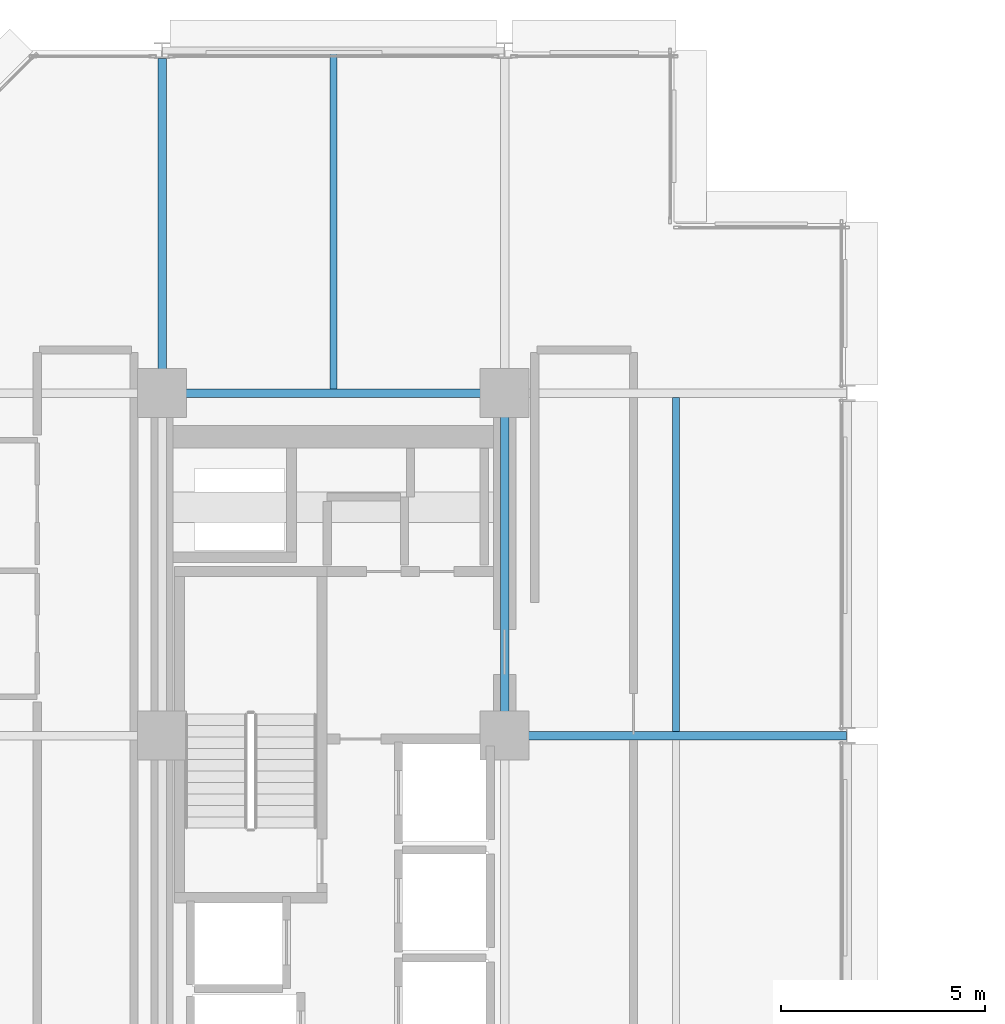
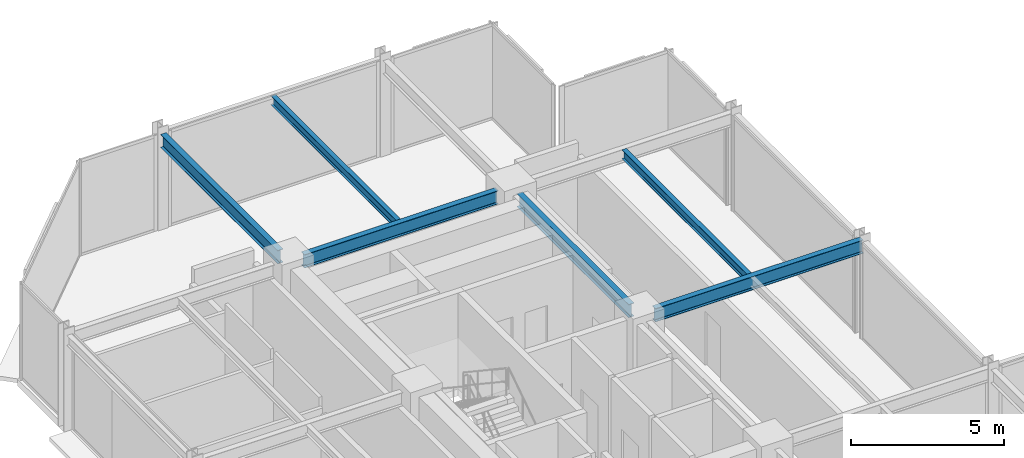
# One storey, part 26 of 39: 6 beams.
"""IFC4 building model written with IfcOpenShell, lengths in metres."""

from ifc_helpers import new_model, si_unit, direction, frame, origin, origin_2d, place, context, subcontext, project, spatial, i_section, extrude, material, material_profile, profile_set, type_object, element, save


model = new_model("IFC4")

# Units and contexts
model_context = context("Model", 3, precision=1e-05, world=origin(), true_north=direction((0.0, 1.0)))
body_context = subcontext(model_context, "Body", "Model", "MODEL_VIEW")
ifc_project = project(units=[si_unit("LENGTHUNIT", "METRE"), si_unit("AREAUNIT", "SQUARE_METRE"), si_unit("VOLUMEUNIT", "CUBIC_METRE"), si_unit("PLANEANGLEUNIT", "RADIAN"), si_unit("MASSUNIT", "GRAM", prefix="KILO")], contexts=[model_context])

# Site, building, storey
site_placement = place(None, origin())
site = spatial("IfcSite", under=ifc_project, at=site_placement, CompositionType="ELEMENT")
building_placement = place(site_placement, origin())
building = spatial("IfcBuilding", under=site, at=building_placement, Name="Nerrivon Quay Data Exchange", CompositionType="ELEMENT")
storey_placement = place(building_placement, frame((0.0, 0.0, 104.89990234375)))
storey = spatial("IfcBuildingStorey", under=building, at=storey_placement, Name="L24", CompositionType="ELEMENT", Elevation=104.89990234375)

# Beams
ifc_material = material(Name="Steel Grade 350", Category="steel")
ifc_material_profile_1 = material_profile(ifc_material, i_section(OverallWidth=0.208984375, OverallDepth=0.532958984375, WebThickness=0.01025390625, FlangeThickness=0.015625, FilletRadius=0.013916015625, at=origin_2d()), Name="530UB92.4")
ifc_profile_set_1 = profile_set([ifc_material_profile_1], Name="Steel Grade 350")
beam_type_1 = type_object("IfcBeamType", Name="BM-G3-530UB92", PredefinedType="BEAM", material=ifc_profile_set_1)
beam_1_placement = place(storey_placement, frame((17.340087890625, 33.60009765625, 3.55859375), z_axis=(1.0, 0.0, 0.0), x_axis=(0.0, 1.0, 0.0)))
element("IfcBeam", 1, at=beam_1_placement, inside=storey, type_object=beam_type_1, Name="L24 EW Girder Y=33.6 (16.8..25.2)", PredefinedType="BEAM", context=body_context, shape_type="SweptSolid", body=[
    extrude(i_section(OverallWidth=0.208984375, OverallDepth=0.532958984375, WebThickness=0.01025390625, FlangeThickness=0.015625, FilletRadius=0.013916015625, at=origin_2d()), origin(), (0.0, 0.0, 1.0), 7.847412109375),
])
beam_2_placement = place(storey_placement, frame((8.93994140625, 42.0, 3.55859375), z_axis=(1.0, 0.0, 0.0), x_axis=(0.0, 1.0, 0.0)))
element("IfcBeam", 2, at=beam_2_placement, inside=storey, type_object=beam_type_1, Name="L24 EW Girder Y=42.0 (8.4..16.8)", PredefinedType="BEAM", context=body_context, shape_type="SweptSolid", body=[
    extrude(i_section(OverallWidth=0.208984375, OverallDepth=0.532958984375, WebThickness=0.01025390625, FlangeThickness=0.015625, FilletRadius=0.013916015625, at=origin_2d()), origin(), (0.0, 0.0, 1.0), 7.320068359375),
])
ifc_material_profile_2 = material_profile(ifc_material, i_section(OverallWidth=0.208984375, OverallDepth=0.528076171875, WebThickness=0.009521484375, FlangeThickness=0.01318359375, FilletRadius=0.013916015625, at=origin_2d()), Name="530UB82.0")
ifc_profile_set_2 = profile_set([ifc_material_profile_2], Name="Steel Grade 350")
beam_type_2 = type_object("IfcBeamType", Name="BM-G4-530UB82", PredefinedType="BEAM", material=ifc_profile_set_2)
beam_3_placement = place(storey_placement, frame((8.39990234375, 42.5400390625, 3.56103515625), z_axis=(0.0, 1.0, 0.0), x_axis=(-1.0, 0.0, 0.0)))
element("IfcBeam", 3, at=beam_3_placement, inside=storey, type_object=beam_type_2, Name="L24 NS Girder X=8.4 (42.0..50.4)", PredefinedType="BEAM", context=body_context, shape_type="SweptSolid", body=[
    extrude(i_section(OverallWidth=0.208984375, OverallDepth=0.528076171875, WebThickness=0.009521484375, FlangeThickness=0.01318359375, FilletRadius=0.013916015625, at=origin_2d()), origin(), (0.0, 0.0, 1.0), 7.659912109375),
])
beam_4_placement = place(storey_placement, frame((16.800048828125, 34.139892578125, 3.56103515625), z_axis=(0.0, 1.0, 0.0), x_axis=(-1.0, 0.0, 0.0)))
element("IfcBeam", 4, at=beam_4_placement, inside=storey, type_object=beam_type_2, Name="L24 NS Girder X=16.8 (33.6..42.0)", PredefinedType="BEAM", context=body_context, shape_type="SweptSolid", body=[
    extrude(i_section(OverallWidth=0.208984375, OverallDepth=0.528076171875, WebThickness=0.009521484375, FlangeThickness=0.01318359375, FilletRadius=0.013916015625, at=origin_2d()), origin(), (0.0, 0.0, 1.0), 7.320068359375),
])
ifc_material_profile_3 = material_profile(ifc_material, i_section(OverallWidth=0.1708984375, OverallDepth=0.35595703125, WebThickness=0.00732421875, FlangeThickness=0.011474609375, FilletRadius=0.011474609375, at=origin_2d()), Name="360UB50.7")
ifc_profile_set_3 = profile_set([ifc_material_profile_3], Name="Steel Grade 350")
beam_type_3 = type_object("IfcBeamType", Name="BM-J4-360UB51", PredefinedType="JOIST", material=ifc_profile_set_3)
beam_5_placement = place(storey_placement, frame((12.60009765625, 42.1044921875, 3.647216796875), z_axis=(0.0, 1.0, 0.0), x_axis=(-1.0, 0.0, 0.0)))
element("IfcBeam", 5, at=beam_5_placement, inside=storey, type_object=beam_type_3, Name="L24 Secondary Joist X=12.6 (42.0..50.4)", PredefinedType="JOIST", context=body_context, shape_type="SweptSolid", body=[
    extrude(i_section(OverallWidth=0.1708984375, OverallDepth=0.35595703125, WebThickness=0.00732421875, FlangeThickness=0.011474609375, FilletRadius=0.011474609375, at=origin_2d()), origin(), (0.0, 0.0, 1.0), 8.20654296875),
])
beam_6_placement = place(storey_placement, frame((21.0, 33.70458984375, 3.647216796875), z_axis=(0.0, 1.0, 0.0), x_axis=(-1.0, 0.0, 0.0)))
element("IfcBeam", 6, at=beam_6_placement, inside=storey, type_object=beam_type_3, Name="L24 Secondary Joist X=21.0 (33.6..42.0)", PredefinedType="JOIST", context=body_context, shape_type="SweptSolid", body=[
    extrude(i_section(OverallWidth=0.1708984375, OverallDepth=0.35595703125, WebThickness=0.00732421875, FlangeThickness=0.011474609375, FilletRadius=0.011474609375, at=origin_2d()), origin(), (0.0, 0.0, 1.0), 8.19091796875),
])

save(model, "model.ifc")
